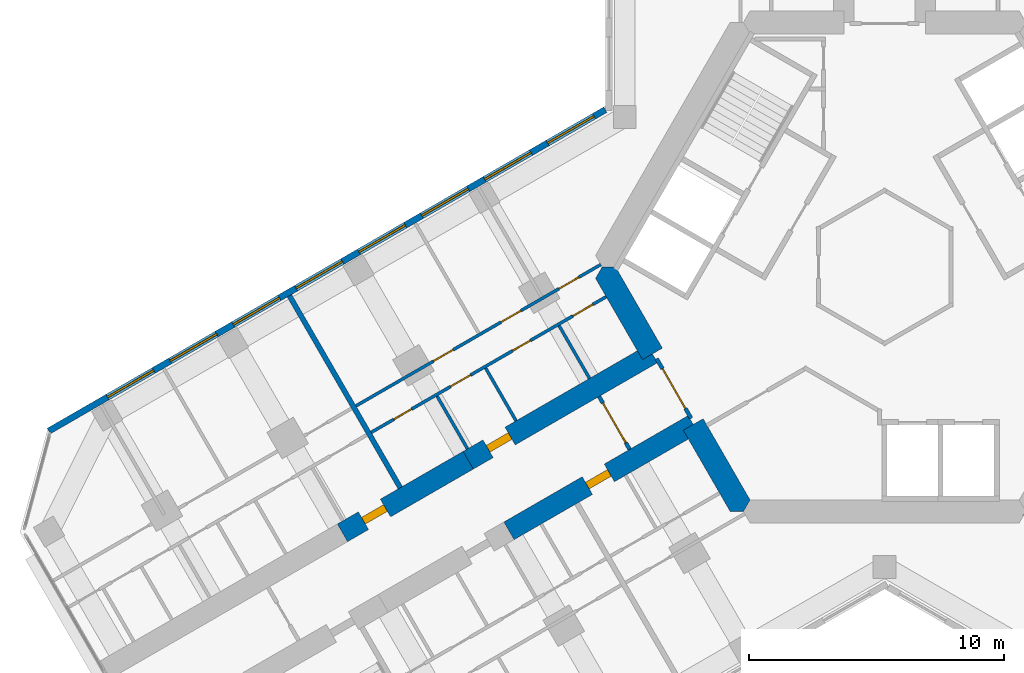
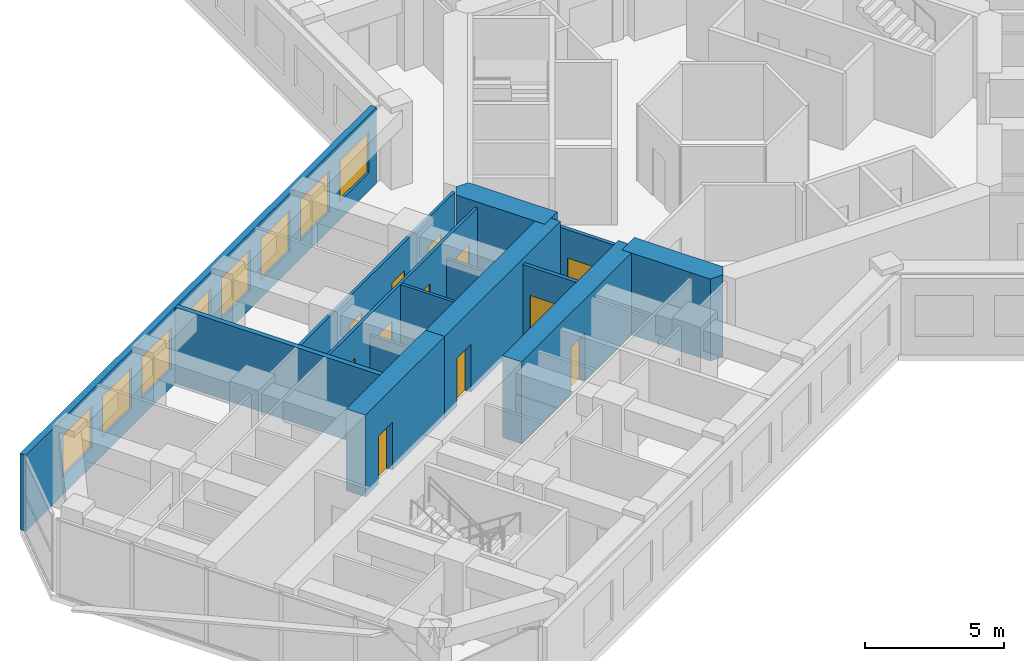
# One storey, part 12 of 20: 14 walls, 12 doors, 8 windows, 20 openings.
"""IFC4 building model written with IfcOpenShell, lengths in metres."""

from ifc_helpers import new_model, si_unit, direction, frame, frame_2d, origin, place, context, subcontext, project, spatial, polyline, rectangle, outline, extrude, material, layer, layer_set, type_object, element, fill, save


model = new_model("IFC4")

# Units and contexts
model_context = context("Model", 3, precision=1e-05, world=origin(), true_north=direction((0.0, 1.0)))
body_context = subcontext(model_context, "Body", "Model", "MODEL_VIEW")
ifc_project = project(units=[si_unit("LENGTHUNIT", "METRE"), si_unit("AREAUNIT", "SQUARE_METRE"), si_unit("VOLUMEUNIT", "CUBIC_METRE"), si_unit("PLANEANGLEUNIT", "RADIAN"), si_unit("MASSUNIT", "GRAM", prefix="KILO")], contexts=[model_context])

# Site, building, storey
site_placement = place(None, origin())
site = spatial("IfcSite", under=ifc_project, at=site_placement, CompositionType="ELEMENT")
building_placement = place(site_placement, origin())
building = spatial("IfcBuilding", under=site, at=building_placement, Name="Kosmar Iwan School Tower", CompositionType="ELEMENT")
storey_placement = place(building_placement, frame((0.0, 0.0, 176.0)))
storey = spatial("IfcBuildingStorey", under=building, at=storey_placement, Name="L44", CompositionType="ELEMENT", Elevation=176.0)

# Walls
ifc_material_1 = material(Name="Concrete C50/60", Category="concrete")
ifc_layer_1 = layer(ifc_material_1, 0.89990234375)
ifc_layer_set_1 = layer_set([ifc_layer_1], Name="Core wall 900")
wall_type_1 = type_object("IfcWallType", Name="Core wall 900", PredefinedType="SHEAR", material=ifc_layer_set_1)
wall_1_placement = place(storey_placement, origin())
element("IfcWall", 1, at=wall_1_placement, inside=storey, type_object=wall_type_1, Name="Core wall F210a", PredefinedType="SHEAR", context=body_context, shape_type="SweptSolid", body=[
    extrude(outline(polyline([(-9.503662109375, -3.639404296875), (-8.72412109375, -3.189453125), (-10.5654296875, 0.0), (-11.085205078125, 0.0), (-11.344970703125, -0.449951171875), (-9.503662109375, -3.639404296875)])), origin(), (0.0, 0.0, 1.0), 3.60009765625),
])
wall_2_placement = place(storey_placement, origin())
element("IfcWall", 2, at=wall_2_placement, inside=storey, type_object=wall_type_1, Name="Core wall F210b", PredefinedType="SHEAR", context=body_context, shape_type="SweptSolid", body=[
    extrude(outline(polyline([(-6.062255859375, -9.60009765625), (-5.54248046875, -9.60009765625), (-5.28271484375, -9.14990234375), (-7.1240234375, -5.960693359375), (-7.903564453125, -6.41064453125), (-6.062255859375, -9.60009765625)])), origin(), (0.0, 0.0, 1.0), 3.60009765625),
])

# Wall, opening, door
ifc_material_2 = material(Name="Concrete C50/60", Category="concrete")
ifc_layer_2 = layer(ifc_material_2, 0.800048828125)
ifc_layer_set_2 = layer_set([ifc_layer_2], Name="Corridor buttress wall 800")
wall_type_2 = type_object("IfcWallType", Name="Corridor buttress wall 800", PredefinedType="SHEAR", material=ifc_layer_set_2)
wall_3_placement = place(storey_placement, frame((-7.513916015625, -6.185546875, 0.0), z_axis=(0.0, 0.0, 1.0), x_axis=(-0.866019549707, -0.500010139422, 0.0)))
wall_3 = element("IfcWall", 3, at=wall_3_placement, inside=storey, type_object=wall_type_2, Name="Corridor wall BL", PredefinedType="SHEAR", context=body_context, shape_type="SweptSolid", body=[
    extrude(rectangle(XDim=8.349853515625, YDim=0.800048828125, at=frame_2d((4.1748046875, 0.0))), origin(), (0.0, 0.0, 1.0), 3.60009765625),
])
opening_1_placement = place(wall_3_placement, frame((3.800048828125, 0.0, 0.0)))
opening_1 = element("IfcOpeningElement", 4, at=opening_1_placement, cuts=wall_3, Name="Opening D1", PredefinedType="OPENING", context=body_context, shape_type="SweptSolid", body=[
    extrude(rectangle(XDim=1.0, YDim=2.10009765625, at=frame_2d((0.5, 1.050048828125))), frame((0.0, 0.412109375, 0.0), z_axis=(0.0, -1.0, 0.0), x_axis=(1.0, 0.0, 0.0)), (0.0, 0.0, 1.0), 0.823974609375),
])
ifc_material_3 = material(Name="Timber fire door in steel frame", Category="steel")
door_type_1 = type_object("IfcDoorType", Name="Flat entrance door 1000x2100", OperationType="SINGLE_SWING_LEFT", PredefinedType="DOOR", material=ifc_material_3)
door_1_placement = place(opening_1_placement, origin())
door_1 = element("IfcDoor", 5, at=door_1_placement, inside=storey, type_object=door_type_1, Name="Flat L44-BL1 entrance door", OperationType="SINGLE_SWING_LEFT", OverallHeight=2.10009765625, OverallWidth=1.0, PredefinedType="DOOR", context=body_context, shape_type="SweptSolid", body=[
    extrude(rectangle(XDim=1.0, YDim=2.10009765625, at=frame_2d((0.5, 1.050048828125))), frame((0.0, 0.14990234375, 0.0), z_axis=(0.0, -1.0, 0.0), x_axis=(1.0, 0.0, 0.0)), (0.0, 0.0, 1.0), 0.300048828125),
])
fill(opening_1, door_1)

wall_4_placement = place(storey_placement, frame((-9.11376953125, -3.414306640625, 0.0), z_axis=(0.0, 0.0, 1.0), x_axis=(-0.866026859388, -0.499997478812, 0.0)))
wall_4 = element("IfcWall", 6, at=wall_4_placement, inside=storey, type_object=wall_type_2, Name="Corridor wall BR", PredefinedType="SHEAR", context=body_context, shape_type="SweptSolid", body=[
    extrude(rectangle(XDim=8.35009765625, YDim=0.800048828125, at=frame_2d((4.175048828125, 0.0))), origin(), (0.0, 0.0, 1.0), 3.60009765625),
])
opening_2_placement = place(wall_4_placement, frame((6.449951171875, 0.0, 0.0)))
opening_2 = element("IfcOpeningElement", 7, at=opening_2_placement, cuts=wall_4, Name="Opening D1", PredefinedType="OPENING", context=body_context, shape_type="SweptSolid", body=[
    extrude(rectangle(XDim=1.0, YDim=2.10009765625, at=frame_2d((0.5, 1.050048828125))), frame((0.0, 0.412109375, 0.0), z_axis=(0.0, -1.0, 0.0), x_axis=(1.0, 0.0, 0.0)), (0.0, 0.0, 1.0), 0.823974609375),
])
door_2_placement = place(opening_2_placement, origin())
door_2 = element("IfcDoor", 8, at=door_2_placement, inside=storey, type_object=door_type_1, Name="Flat L44-BR1 entrance door", OperationType="SINGLE_SWING_RIGHT", OverallHeight=2.10009765625, OverallWidth=1.0, PredefinedType="DOOR", context=body_context, shape_type="SweptSolid", body=[
    extrude(rectangle(XDim=1.0, YDim=2.10009765625, at=frame_2d((0.5, 1.050048828125))), frame((0.0, 0.14990234375, 0.0), z_axis=(0.0, -1.0, 0.0), x_axis=(1.0, 0.0, 0.0)), (0.0, 0.0, 1.0), 0.300048828125),
])
fill(opening_2, door_2)

wall_5_placement = place(storey_placement, frame((-16.34521484375, -7.58935546875, 0.0), z_axis=(0.0, 0.0, 1.0), x_axis=(-0.866015111908, -0.50001782563, 0.0)))
wall_5 = element("IfcWall", 9, at=wall_5_placement, inside=storey, type_object=wall_type_2, Name="Corridor wall BR bay 2", PredefinedType="SHEAR", context=body_context, shape_type="SweptSolid", body=[
    extrude(rectangle(XDim=5.699951171875, YDim=0.800048828125, at=frame_2d((2.85009765625, 0.0))), origin(), (0.0, 0.0, 1.0), 3.60009765625),
])
opening_3_placement = place(wall_5_placement, frame((3.75, 0.0, 0.0)))
opening_3 = element("IfcOpeningElement", 10, at=opening_3_placement, cuts=wall_5, Name="Opening D1", PredefinedType="OPENING", context=body_context, shape_type="SweptSolid", body=[
    extrude(rectangle(XDim=1.0, YDim=2.10009765625, at=frame_2d((0.5, 1.050048828125))), frame((0.0, 0.412109375, 0.0), z_axis=(0.0, -1.0, 0.0), x_axis=(1.0, 0.0, 0.0)), (0.0, 0.0, 1.0), 0.823974609375),
])
door_3_placement = place(opening_3_placement, origin())
door_3 = element("IfcDoor", 11, at=door_3_placement, inside=storey, type_object=door_type_1, Name="Flat L44-BR2 entrance door", OperationType="SINGLE_SWING_RIGHT", OverallHeight=2.10009765625, OverallWidth=1.0, PredefinedType="DOOR", context=body_context, shape_type="SweptSolid", body=[
    extrude(rectangle(XDim=1.0, YDim=2.10009765625, at=frame_2d((0.5, 1.050048828125))), frame((0.0, 0.14990234375, 0.0), z_axis=(0.0, -1.0, 0.0), x_axis=(1.0, 0.0, 0.0)), (0.0, 0.0, 1.0), 0.300048828125),
])
fill(opening_3, door_3)

ifc_material_4 = material(Name="Gypsum board on steel studs, fire-rated", Category="steel")
ifc_layer_3 = layer(ifc_material_4, 0.14990234375)
ifc_layer_set_3 = layer_set([ifc_layer_3], Name="Corridor end wall 150")
wall_type_3 = type_object("IfcWallType", Name="Corridor end wall 150", PredefinedType="PARTITIONING", material=ifc_layer_set_3)
wall_6_placement = place(storey_placement, frame((-11.208740234375, -5.085693359375, 0.0), z_axis=(0.0, 0.0, 1.0), x_axis=(0.499957262057, -0.866050077142, 0.0)))
wall_6 = element("IfcWall", 12, at=wall_6_placement, inside=storey, type_object=wall_type_3, Name="Partition L44-B-HW", PredefinedType="PARTITIONING", context=body_context, shape_type="SweptSolid", body=[
    extrude(rectangle(XDim=2.400146484375, YDim=0.14990234375, at=frame_2d((1.2001953125, 0.0))), origin(), (0.0, 0.0, 1.0), 3.35009765625),
])
opening_4_placement = place(wall_6_placement, frame((0.300048828125, 0.0, 0.0)))
opening_4 = element("IfcOpeningElement", 13, at=opening_4_placement, cuts=wall_6, Name="Opening D9", PredefinedType="OPENING", context=body_context, shape_type="SweptSolid", body=[
    extrude(rectangle(XDim=1.800048828125, YDim=2.10009765625, at=frame_2d((0.89990234375, 1.050048828125))), frame((0.0, 0.0869140625, 0.0), z_axis=(0.0, -1.0, 0.0), x_axis=(1.0, 0.0, 0.0)), (0.0, 0.0, 1.0), 0.173828125),
])
ifc_material_5 = material(Name="Steel framed glazed smoke door", Category="steel")
door_type_2 = type_object("IfcDoorType", Name="Corridor smoke door pair 1800x2100", OperationType="DOUBLE_DOOR_DOUBLE_SWING", PredefinedType="DOOR", material=ifc_material_5)
door_4_placement = place(opening_4_placement, origin())
door_4 = element("IfcDoor", 14, at=door_4_placement, inside=storey, type_object=door_type_2, Name="Hashti vestibule smoke doors L44-B", OperationType="DOUBLE_DOOR_DOUBLE_SWING", OverallHeight=2.10009765625, OverallWidth=1.800048828125, PredefinedType="DOOR", context=body_context, shape_type="SweptSolid", body=[
    extrude(rectangle(XDim=1.800048828125, YDim=2.10009765625, at=frame_2d((0.89990234375, 1.050048828125))), frame((0.0, 0.02490234375, 0.0), z_axis=(0.0, -1.0, 0.0), x_axis=(1.0, 0.0, 0.0)), (0.0, 0.0, 1.0), 0.050048828125),
])
fill(opening_4, door_4)

ifc_material_6 = material(Name="Steel framed glazed screen", Category="steel")
ifc_layer_4 = layer(ifc_material_6, 0.14990234375)
ifc_layer_set_4 = layer_set([ifc_layer_4], Name="Corridor screen wall 150")
wall_type_4 = type_object("IfcWallType", Name="Corridor screen wall 150", PredefinedType="PARTITIONING", material=ifc_layer_set_4)
wall_7_placement = place(storey_placement, frame((-8.945556640625, -3.60595703125, 0.0), z_axis=(0.0, 0.0, 1.0), x_axis=(0.500048589285, -0.86599734893, 0.0)))
wall_7 = element("IfcWall", 15, at=wall_7_placement, inside=storey, type_object=wall_type_4, Name="Corridor screen B L44", PredefinedType="PARTITIONING", context=body_context, shape_type="SweptSolid", body=[
    extrude(rectangle(XDim=2.699951171875, YDim=0.14990234375, at=frame_2d((1.35009765625, 0.0))), origin(), (0.0, 0.0, 1.0), 3.35009765625),
])
opening_5_placement = place(wall_7_placement, frame((0.449951171875, 0.0, 0.0)))
opening_5 = element("IfcOpeningElement", 16, at=opening_5_placement, cuts=wall_7, Name="Opening D9", PredefinedType="OPENING", context=body_context, shape_type="SweptSolid", body=[
    extrude(rectangle(XDim=1.800048828125, YDim=2.10009765625, at=frame_2d((0.89990234375, 1.050048828125))), frame((0.0, 0.0869140625, 0.0), z_axis=(0.0, -1.0, 0.0), x_axis=(1.0, 0.0, 0.0)), (0.0, 0.0, 1.0), 0.173828125),
])
door_5_placement = place(opening_5_placement, origin())
door_5 = element("IfcDoor", 17, at=door_5_placement, inside=storey, type_object=door_type_2, Name="Corridor doors B L44", OperationType="DOUBLE_DOOR_DOUBLE_SWING", OverallHeight=2.10009765625, OverallWidth=1.800048828125, PredefinedType="DOOR", context=body_context, shape_type="SweptSolid", body=[
    extrude(rectangle(XDim=1.800048828125, YDim=2.10009765625, at=frame_2d((0.89990234375, 1.050048828125))), frame((0.0, 0.02490234375, 0.0), z_axis=(0.0, -1.0, 0.0), x_axis=(1.0, 0.0, 0.0)), (0.0, 0.0, 1.0), 0.050048828125),
])
fill(opening_5, door_5)

# Wall, openings, doors
ifc_material_7 = material(Name="Gypsum board on steel studs", Category="steel")
ifc_layer_5 = layer(ifc_material_7, 0.1201171875)
ifc_layer_set_5 = layer_set([ifc_layer_5], Name="Dwelling partition 120")
wall_type_5 = type_object("IfcWallType", Name="Dwelling partition 120", PredefinedType="PARTITIONING", material=ifc_layer_set_5)
wall_8_placement = place(storey_placement, frame((-10.928466796875, -1.171142578125, 0.0), z_axis=(0.0, 0.0, 1.0), x_axis=(-0.866032509089, -0.49998769305, 0.0)))
wall_8 = element("IfcWall", 18, at=wall_8_placement, inside=storey, type_object=wall_type_5, Name="Partition L44-BR1-W1", PredefinedType="PARTITIONING", context=body_context, shape_type="SweptSolid", body=[
    extrude(rectangle(XDim=10.650146484375, YDim=0.1201171875, at=frame_2d((5.3251953125, 0.0))), origin(), (0.0, 0.0, 1.0), 3.35009765625),
])
opening_6_placement = place(wall_8_placement, frame((0.610107421875, 0.0, 0.0)))
opening_6 = element("IfcOpeningElement", 19, at=opening_6_placement, cuts=wall_8, Name="Opening D2", PredefinedType="OPENING", context=body_context, shape_type="SweptSolid", body=[
    extrude(rectangle(XDim=0.89990234375, YDim=2.10009765625, at=frame_2d((0.449951171875, 1.050048828125))), frame((0.0, 0.072021484375, 0.0), z_axis=(0.0, -1.0, 0.0), x_axis=(1.0, 0.0, 0.0)), (0.0, 0.0, 1.0), 0.14404296875),
])
opening_7_placement = place(wall_8_placement, frame((3.43505859375, 0.0, 0.0)))
opening_7 = element("IfcOpeningElement", 20, at=opening_7_placement, cuts=wall_8, Name="Opening D3", PredefinedType="OPENING", context=body_context, shape_type="SweptSolid", body=[
    extrude(rectangle(XDim=0.800048828125, YDim=2.10009765625, at=frame_2d((0.39990234375, 1.050048828125))), frame((0.0, 0.072021484375, 0.0), z_axis=(0.0, -1.0, 0.0), x_axis=(1.0, 0.0, 0.0)), (0.0, 0.0, 1.0), 0.14404296875),
])
opening_8_placement = place(wall_8_placement, frame((6.14990234375, 0.0, 0.0)))
opening_8 = element("IfcOpeningElement", 21, at=opening_8_placement, cuts=wall_8, Name="Opening D2", PredefinedType="OPENING", context=body_context, shape_type="SweptSolid", body=[
    extrude(rectangle(XDim=0.89990234375, YDim=2.10009765625, at=frame_2d((0.449951171875, 1.050048828125))), frame((0.0, 0.072021484375, 0.0), z_axis=(0.0, -1.0, 0.0), x_axis=(1.0, 0.0, 0.0)), (0.0, 0.0, 1.0), 0.14404296875),
])
opening_9_placement = place(wall_8_placement, frame((8.824951171875, 0.0, 0.0)))
opening_9 = element("IfcOpeningElement", 22, at=opening_9_placement, cuts=wall_8, Name="Opening D3", PredefinedType="OPENING", context=body_context, shape_type="SweptSolid", body=[
    extrude(rectangle(XDim=0.800048828125, YDim=2.10009765625, at=frame_2d((0.39990234375, 1.050048828125))), frame((0.0, 0.072021484375, 0.0), z_axis=(0.0, -1.0, 0.0), x_axis=(1.0, 0.0, 0.0)), (0.0, 0.0, 1.0), 0.14404296875),
])
ifc_material_8 = material(Name="Timber door in timber frame", Category="wood")
door_type_3 = type_object("IfcDoorType", Name="Internal door 900x2100", OperationType="SINGLE_SWING_LEFT", PredefinedType="DOOR", material=ifc_material_8)
door_6_placement = place(opening_6_placement, origin())
door_6 = element("IfcDoor", 23, at=door_6_placement, inside=storey, type_object=door_type_3, Name="Pantry door L44-BR1-S1", OperationType="SINGLE_SWING_RIGHT", OverallHeight=2.10009765625, OverallWidth=0.89990234375, PredefinedType="DOOR", context=body_context, shape_type="SweptSolid", body=[
    extrude(rectangle(XDim=0.89990234375, YDim=2.10009765625, at=frame_2d((0.449951171875, 1.050048828125))), frame((0.0, 0.02490234375, 0.0), z_axis=(0.0, -1.0, 0.0), x_axis=(1.0, 0.0, 0.0)), (0.0, 0.0, 1.0), 0.050048828125),
])
fill(opening_6, door_6)
door_7_placement = place(opening_8_placement, origin())
door_7 = element("IfcDoor", 24, at=door_7_placement, inside=storey, type_object=door_type_3, Name="Entrance hall door L44-BR1-S3", OperationType="SINGLE_SWING_RIGHT", OverallHeight=2.10009765625, OverallWidth=0.89990234375, PredefinedType="DOOR", context=body_context, shape_type="SweptSolid", body=[
    extrude(rectangle(XDim=0.89990234375, YDim=2.10009765625, at=frame_2d((0.449951171875, 1.050048828125))), frame((0.0, 0.02490234375, 0.0), z_axis=(0.0, -1.0, 0.0), x_axis=(1.0, 0.0, 0.0)), (0.0, 0.0, 1.0), 0.050048828125),
])
fill(opening_8, door_7)
ifc_material_9 = material(Name="Timber door in timber frame", Category="wood")
door_type_4 = type_object("IfcDoorType", Name="Sanitary room door 800x2100", OperationType="SINGLE_SWING_LEFT", PredefinedType="DOOR", material=ifc_material_9)
door_8_placement = place(opening_7_placement, origin())
door_8 = element("IfcDoor", 25, at=door_8_placement, inside=storey, type_object=door_type_4, Name="Bathroom door L44-BR1-S2", OperationType="SINGLE_SWING_LEFT", OverallHeight=2.10009765625, OverallWidth=0.800048828125, PredefinedType="DOOR", context=body_context, shape_type="SweptSolid", body=[
    extrude(rectangle(XDim=0.800048828125, YDim=2.10009765625, at=frame_2d((0.39990234375, 1.050048828125))), frame((0.0, 0.02490234375, 0.0), z_axis=(0.0, -1.0, 0.0), x_axis=(1.0, 0.0, 0.0)), (0.0, 0.0, 1.0), 0.050048828125),
])
fill(opening_7, door_8)
door_9_placement = place(opening_9_placement, origin())
door_9 = element("IfcDoor", 26, at=door_9_placement, inside=storey, type_object=door_type_4, Name="WC door L44-BR1-S4", OperationType="SINGLE_SWING_RIGHT", OverallHeight=2.10009765625, OverallWidth=0.800048828125, PredefinedType="DOOR", context=body_context, shape_type="SweptSolid", body=[
    extrude(rectangle(XDim=0.800048828125, YDim=2.10009765625, at=frame_2d((0.39990234375, 1.050048828125))), frame((0.0, 0.02490234375, 0.0), z_axis=(0.0, -1.0, 0.0), x_axis=(1.0, 0.0, 0.0)), (0.0, 0.0, 1.0), 0.050048828125),
])
fill(opening_9, door_9)

wall_9_placement = place(storey_placement, frame((-11.138916015625, 0.093017578125, 0.0), z_axis=(0.0, 0.0, 1.0), x_axis=(-0.866021494144, -0.500006771635, 0.0)))
wall_9 = element("IfcWall", 27, at=wall_9_placement, inside=storey, type_object=wall_type_5, Name="Partition L44-BR1-W2", PredefinedType="PARTITIONING", context=body_context, shape_type="SweptSolid", body=[
    extrude(rectangle(XDim=11.099853515625, YDim=0.1201171875, at=frame_2d((5.5498046875, 0.0))), origin(), (0.0, 0.0, 1.0), 3.35009765625),
])
opening_10_placement = place(wall_9_placement, frame((1.0, 0.0, 0.0)))
opening_10 = element("IfcOpeningElement", 28, at=opening_10_placement, cuts=wall_9, Name="Opening D2", PredefinedType="OPENING", context=body_context, shape_type="SweptSolid", body=[
    extrude(rectangle(XDim=0.89990234375, YDim=2.10009765625, at=frame_2d((0.449951171875, 1.050048828125))), frame((0.0, 0.072021484375, 0.0), z_axis=(0.0, -1.0, 0.0), x_axis=(1.0, 0.0, 0.0)), (0.0, 0.0, 1.0), 0.14404296875),
])
opening_11_placement = place(wall_9_placement, frame((3.625, 0.0, 0.0)))
opening_11 = element("IfcOpeningElement", 29, at=opening_11_placement, cuts=wall_9, Name="Opening D2", PredefinedType="OPENING", context=body_context, shape_type="SweptSolid", body=[
    extrude(rectangle(XDim=0.89990234375, YDim=2.10009765625, at=frame_2d((0.449951171875, 1.050048828125))), frame((0.0, 0.072021484375, 0.0), z_axis=(0.0, -1.0, 0.0), x_axis=(1.0, 0.0, 0.0)), (0.0, 0.0, 1.0), 0.14404296875),
])
opening_12_placement = place(wall_9_placement, frame((6.699951171875, 0.0, 0.0)))
opening_12 = element("IfcOpeningElement", 30, at=opening_12_placement, cuts=wall_9, Name="Opening D2", PredefinedType="OPENING", context=body_context, shape_type="SweptSolid", body=[
    extrude(rectangle(XDim=0.89990234375, YDim=2.10009765625, at=frame_2d((0.449951171875, 1.050048828125))), frame((0.0, 0.072021484375, 0.0), z_axis=(0.0, -1.0, 0.0), x_axis=(1.0, 0.0, 0.0)), (0.0, 0.0, 1.0), 0.14404296875),
])
door_10_placement = place(opening_10_placement, origin())
door_10 = element("IfcDoor", 31, at=door_10_placement, inside=storey, type_object=door_type_3, Name="Bedroom 1 door L44-BR1-F1", OperationType="SINGLE_SWING_LEFT", OverallHeight=2.10009765625, OverallWidth=0.89990234375, PredefinedType="DOOR", context=body_context, shape_type="SweptSolid", body=[
    extrude(rectangle(XDim=0.89990234375, YDim=2.10009765625, at=frame_2d((0.449951171875, 1.050048828125))), frame((0.0, 0.02490234375, 0.0), z_axis=(0.0, -1.0, 0.0), x_axis=(1.0, 0.0, 0.0)), (0.0, 0.0, 1.0), 0.050048828125),
])
fill(opening_10, door_10)
door_11_placement = place(opening_11_placement, origin())
door_11 = element("IfcDoor", 32, at=door_11_placement, inside=storey, type_object=door_type_3, Name="Study door L44-BR1-F2", OperationType="SINGLE_SWING_LEFT", OverallHeight=2.10009765625, OverallWidth=0.89990234375, PredefinedType="DOOR", context=body_context, shape_type="SweptSolid", body=[
    extrude(rectangle(XDim=0.89990234375, YDim=2.10009765625, at=frame_2d((0.449951171875, 1.050048828125))), frame((0.0, 0.02490234375, 0.0), z_axis=(0.0, -1.0, 0.0), x_axis=(1.0, 0.0, 0.0)), (0.0, 0.0, 1.0), 0.050048828125),
])
fill(opening_11, door_11)
door_12_placement = place(opening_12_placement, origin())
door_12 = element("IfcDoor", 33, at=door_12_placement, inside=storey, type_object=door_type_3, Name="Family room and kitchen door L44-BR1-F3", OperationType="SINGLE_SWING_RIGHT", OverallHeight=2.10009765625, OverallWidth=0.89990234375, PredefinedType="DOOR", context=body_context, shape_type="SweptSolid", body=[
    extrude(rectangle(XDim=0.89990234375, YDim=2.10009765625, at=frame_2d((0.449951171875, 1.050048828125))), frame((0.0, 0.02490234375, 0.0), z_axis=(0.0, -1.0, 0.0), x_axis=(1.0, 0.0, 0.0)), (0.0, 0.0, 1.0), 0.050048828125),
])
fill(opening_12, door_12)

# Walls
wall_10_placement = place(storey_placement, frame((-11.582763671875, -4.3779296875, 0.0), z_axis=(0.0, 0.0, 1.0), x_axis=(-0.500017192868, 0.86601547725, 0.0)))
element("IfcWall", 34, at=wall_10_placement, inside=storey, type_object=wall_type_5, Name="Partition L44-BR1-Y1", PredefinedType="PARTITIONING", context=body_context, shape_type="SweptSolid", body=[
    extrude(rectangle(XDim=2.39013671875, YDim=0.1201171875, at=frame_2d((1.195068359375, 0.0))), origin(), (0.0, 0.0, 1.0), 2.449951171875),
])
wall_11_placement = place(storey_placement, frame((-14.466796875, -6.04296875, 0.0), z_axis=(0.0, 0.0, 1.0), x_axis=(-0.499940577336, 0.866059708757, 0.0)))
element("IfcWall", 35, at=wall_11_placement, inside=storey, type_object=wall_type_5, Name="Partition L44-BR1-Y2", PredefinedType="PARTITIONING", context=body_context, shape_type="SweptSolid", body=[
    extrude(rectangle(XDim=2.389892578125, YDim=0.1201171875, at=frame_2d((1.19482421875, 0.0))), origin(), (0.0, 0.0, 1.0), 3.35009765625),
])
wall_12_placement = place(storey_placement, frame((-16.371826171875, -7.14306640625, 0.0), z_axis=(0.0, 0.0, 1.0), x_axis=(-0.500017192868, 0.86601547725, 0.0)))
element("IfcWall", 36, at=wall_12_placement, inside=storey, type_object=wall_type_5, Name="Partition L44-BR1-Y3", PredefinedType="PARTITIONING", context=body_context, shape_type="SweptSolid", body=[
    extrude(rectangle(XDim=2.39013671875, YDim=0.1201171875, at=frame_2d((1.195068359375, 0.0))), origin(), (0.0, 0.0, 1.0), 2.449951171875),
])

# Wall, openings, windows
ifc_material_10 = material(Name="Black aluminium rainscreen on insulated framing", Category="aluminium")
ifc_layer_6 = layer(ifc_material_10, 0.25)
ifc_layer_set_6 = layer_set([ifc_layer_6], Name="External wall rainscreen 250")
wall_type_6 = type_object("IfcWallType", Name="External wall rainscreen 250", PredefinedType="SOLIDWALL", material=ifc_layer_set_6)
wall_13_placement = place(storey_placement, frame((-10.962890625, 6.170166015625, 0.0), z_axis=(0.0, 0.0, 1.0), x_axis=(-0.86602796634, -0.499995561497, 0.0)))
wall_13 = element("IfcWall", 37, at=wall_13_placement, inside=storey, type_object=wall_type_6, Name="External wall BR L44", PredefinedType="SOLIDWALL", context=body_context, shape_type="SweptSolid", body=[
    extrude(rectangle(XDim=25.226318359375, YDim=0.25, at=frame_2d((12.61328125, 0.0))), origin(), (0.0, 0.0, 1.0), 3.35009765625),
])
opening_13_placement = place(wall_13_placement, frame((0.51611328125, 0.0, 0.800048828125)))
opening_13 = element("IfcOpeningElement", 38, at=opening_13_placement, cuts=wall_13, Name="Opening W4", PredefinedType="OPENING", context=body_context, shape_type="SweptSolid", body=[
    extrude(rectangle(XDim=2.10009765625, YDim=1.800048828125, at=frame_2d((1.050048828125, 0.89990234375))), frame((0.0, 0.136962890625, 0.0), z_axis=(0.0, -1.0, 0.0), x_axis=(1.0, 0.0, 0.0)), (0.0, 0.0, 1.0), 0.27392578125),
])
opening_14_placement = place(wall_13_placement, frame((3.365966796875, 0.0, 0.800048828125)))
opening_14 = element("IfcOpeningElement", 39, at=opening_14_placement, cuts=wall_13, Name="Opening W4", PredefinedType="OPENING", context=body_context, shape_type="SweptSolid", body=[
    extrude(rectangle(XDim=2.10009765625, YDim=1.800048828125, at=frame_2d((1.050048828125, 0.89990234375))), frame((0.0, 0.136962890625, 0.0), z_axis=(0.0, -1.0, 0.0), x_axis=(1.0, 0.0, 0.0)), (0.0, 0.0, 1.0), 0.27392578125),
])
opening_15_placement = place(wall_13_placement, frame((6.216064453125, 0.0, 0.800048828125)))
opening_15 = element("IfcOpeningElement", 40, at=opening_15_placement, cuts=wall_13, Name="Opening W4", PredefinedType="OPENING", context=body_context, shape_type="SweptSolid", body=[
    extrude(rectangle(XDim=2.10009765625, YDim=1.800048828125, at=frame_2d((1.050048828125, 0.89990234375))), frame((0.0, 0.136962890625, 0.0), z_axis=(0.0, -1.0, 0.0), x_axis=(1.0, 0.0, 0.0)), (0.0, 0.0, 1.0), 0.27392578125),
])
opening_16_placement = place(wall_13_placement, frame((9.06591796875, 0.0, 0.800048828125)))
opening_16 = element("IfcOpeningElement", 41, at=opening_16_placement, cuts=wall_13, Name="Opening W4", PredefinedType="OPENING", context=body_context, shape_type="SweptSolid", body=[
    extrude(rectangle(XDim=2.10009765625, YDim=1.800048828125, at=frame_2d((1.050048828125, 0.89990234375))), frame((0.0, 0.136962890625, 0.0), z_axis=(0.0, -1.0, 0.0), x_axis=(1.0, 0.0, 0.0)), (0.0, 0.0, 1.0), 0.27392578125),
])
opening_17_placement = place(wall_13_placement, frame((11.916015625, 0.0, 0.800048828125)))
opening_17 = element("IfcOpeningElement", 42, at=opening_17_placement, cuts=wall_13, Name="Opening W4", PredefinedType="OPENING", context=body_context, shape_type="SweptSolid", body=[
    extrude(rectangle(XDim=2.10009765625, YDim=1.800048828125, at=frame_2d((1.050048828125, 0.89990234375))), frame((0.0, 0.136962890625, 0.0), z_axis=(0.0, -1.0, 0.0), x_axis=(1.0, 0.0, 0.0)), (0.0, 0.0, 1.0), 0.27392578125),
])
opening_18_placement = place(wall_13_placement, frame((14.76611328125, 0.0, 0.800048828125)))
opening_18 = element("IfcOpeningElement", 43, at=opening_18_placement, cuts=wall_13, Name="Opening W4", PredefinedType="OPENING", context=body_context, shape_type="SweptSolid", body=[
    extrude(rectangle(XDim=2.10009765625, YDim=1.800048828125, at=frame_2d((1.050048828125, 0.89990234375))), frame((0.0, 0.136962890625, 0.0), z_axis=(0.0, -1.0, 0.0), x_axis=(1.0, 0.0, 0.0)), (0.0, 0.0, 1.0), 0.27392578125),
])
opening_19_placement = place(wall_13_placement, frame((17.615966796875, 0.0, 0.800048828125)))
opening_19 = element("IfcOpeningElement", 44, at=opening_19_placement, cuts=wall_13, Name="Opening W4", PredefinedType="OPENING", context=body_context, shape_type="SweptSolid", body=[
    extrude(rectangle(XDim=2.10009765625, YDim=1.800048828125, at=frame_2d((1.050048828125, 0.89990234375))), frame((0.0, 0.136962890625, 0.0), z_axis=(0.0, -1.0, 0.0), x_axis=(1.0, 0.0, 0.0)), (0.0, 0.0, 1.0), 0.27392578125),
])
opening_20_placement = place(wall_13_placement, frame((20.466064453125, 0.0, 0.800048828125)))
opening_20 = element("IfcOpeningElement", 45, at=opening_20_placement, cuts=wall_13, Name="Opening W4", PredefinedType="OPENING", context=body_context, shape_type="SweptSolid", body=[
    extrude(rectangle(XDim=2.10009765625, YDim=1.800048828125, at=frame_2d((1.050048828125, 0.89990234375))), frame((0.0, 0.136962890625, 0.0), z_axis=(0.0, -1.0, 0.0), x_axis=(1.0, 0.0, 0.0)), (0.0, 0.0, 1.0), 0.27392578125),
])
ifc_material_11 = material(Name="Black aluminium frame with dark triple glazing", Category="aluminium")
window_type = type_object("IfcWindowType", Name="Window 2100x1800", PartitioningType="SINGLE_PANEL", PredefinedType="WINDOW", material=ifc_material_11)
window_1_placement = place(opening_13_placement, origin())
window_1 = element("IfcWindow", 46, at=window_1_placement, inside=storey, type_object=window_type, Name="Window BR L44 -1", OverallHeight=1.800048828125, OverallWidth=2.10009765625, PartitioningType="SINGLE_PANEL", PredefinedType="WINDOW", context=body_context, shape_type="SweptSolid", body=[
    extrude(rectangle(XDim=2.10009765625, YDim=1.800048828125, at=frame_2d((1.050048828125, 0.89990234375))), frame((0.0, 0.030029296875, 0.0), z_axis=(0.0, -1.0, 0.0), x_axis=(1.0, 0.0, 0.0)), (0.0, 0.0, 1.0), 0.06005859375),
])
fill(opening_13, window_1)
window_2_placement = place(opening_14_placement, origin())
window_2 = element("IfcWindow", 47, at=window_2_placement, inside=storey, type_object=window_type, Name="Window BR L44 0", OverallHeight=1.800048828125, OverallWidth=2.10009765625, PartitioningType="SINGLE_PANEL", PredefinedType="WINDOW", context=body_context, shape_type="SweptSolid", body=[
    extrude(rectangle(XDim=2.10009765625, YDim=1.800048828125, at=frame_2d((1.050048828125, 0.89990234375))), frame((0.0, 0.030029296875, 0.0), z_axis=(0.0, -1.0, 0.0), x_axis=(1.0, 0.0, 0.0)), (0.0, 0.0, 1.0), 0.06005859375),
])
fill(opening_14, window_2)
window_3_placement = place(opening_15_placement, origin())
window_3 = element("IfcWindow", 48, at=window_3_placement, inside=storey, type_object=window_type, Name="Window BR L44 1", OverallHeight=1.800048828125, OverallWidth=2.10009765625, PartitioningType="SINGLE_PANEL", PredefinedType="WINDOW", context=body_context, shape_type="SweptSolid", body=[
    extrude(rectangle(XDim=2.10009765625, YDim=1.800048828125, at=frame_2d((1.050048828125, 0.89990234375))), frame((0.0, 0.030029296875, 0.0), z_axis=(0.0, -1.0, 0.0), x_axis=(1.0, 0.0, 0.0)), (0.0, 0.0, 1.0), 0.06005859375),
])
fill(opening_15, window_3)
window_4_placement = place(opening_16_placement, origin())
window_4 = element("IfcWindow", 49, at=window_4_placement, inside=storey, type_object=window_type, Name="Window BR L44 2", OverallHeight=1.800048828125, OverallWidth=2.10009765625, PartitioningType="SINGLE_PANEL", PredefinedType="WINDOW", context=body_context, shape_type="SweptSolid", body=[
    extrude(rectangle(XDim=2.10009765625, YDim=1.800048828125, at=frame_2d((1.050048828125, 0.89990234375))), frame((0.0, 0.030029296875, 0.0), z_axis=(0.0, -1.0, 0.0), x_axis=(1.0, 0.0, 0.0)), (0.0, 0.0, 1.0), 0.06005859375),
])
fill(opening_16, window_4)
window_5_placement = place(opening_17_placement, origin())
window_5 = element("IfcWindow", 50, at=window_5_placement, inside=storey, type_object=window_type, Name="Window BR L44 3", OverallHeight=1.800048828125, OverallWidth=2.10009765625, PartitioningType="SINGLE_PANEL", PredefinedType="WINDOW", context=body_context, shape_type="SweptSolid", body=[
    extrude(rectangle(XDim=2.10009765625, YDim=1.800048828125, at=frame_2d((1.050048828125, 0.89990234375))), frame((0.0, 0.030029296875, 0.0), z_axis=(0.0, -1.0, 0.0), x_axis=(1.0, 0.0, 0.0)), (0.0, 0.0, 1.0), 0.06005859375),
])
fill(opening_17, window_5)
window_6_placement = place(opening_18_placement, origin())
window_6 = element("IfcWindow", 51, at=window_6_placement, inside=storey, type_object=window_type, Name="Window BR L44 4", OverallHeight=1.800048828125, OverallWidth=2.10009765625, PartitioningType="SINGLE_PANEL", PredefinedType="WINDOW", context=body_context, shape_type="SweptSolid", body=[
    extrude(rectangle(XDim=2.10009765625, YDim=1.800048828125, at=frame_2d((1.050048828125, 0.89990234375))), frame((0.0, 0.030029296875, 0.0), z_axis=(0.0, -1.0, 0.0), x_axis=(1.0, 0.0, 0.0)), (0.0, 0.0, 1.0), 0.06005859375),
])
fill(opening_18, window_6)
window_7_placement = place(opening_19_placement, origin())
window_7 = element("IfcWindow", 52, at=window_7_placement, inside=storey, type_object=window_type, Name="Window BR L44 5", OverallHeight=1.800048828125, OverallWidth=2.10009765625, PartitioningType="SINGLE_PANEL", PredefinedType="WINDOW", context=body_context, shape_type="SweptSolid", body=[
    extrude(rectangle(XDim=2.10009765625, YDim=1.800048828125, at=frame_2d((1.050048828125, 0.89990234375))), frame((0.0, 0.030029296875, 0.0), z_axis=(0.0, -1.0, 0.0), x_axis=(1.0, 0.0, 0.0)), (0.0, 0.0, 1.0), 0.06005859375),
])
fill(opening_19, window_7)
window_8_placement = place(opening_20_placement, origin())
window_8 = element("IfcWindow", 53, at=window_8_placement, inside=storey, type_object=window_type, Name="Window BR L44 6", OverallHeight=1.800048828125, OverallWidth=2.10009765625, PartitioningType="SINGLE_PANEL", PredefinedType="WINDOW", context=body_context, shape_type="SweptSolid", body=[
    extrude(rectangle(XDim=2.10009765625, YDim=1.800048828125, at=frame_2d((1.050048828125, 0.89990234375))), frame((0.0, 0.030029296875, 0.0), z_axis=(0.0, -1.0, 0.0), x_axis=(1.0, 0.0, 0.0)), (0.0, 0.0, 1.0), 0.06005859375),
])
fill(opening_20, window_8)

# Wall
ifc_material_12 = material(Name="Concrete block masonry", Category="masonry")
ifc_layer_7 = layer(ifc_material_12, 0.199951171875)
ifc_layer_set_7 = layer_set([ifc_layer_7], Name="Party wall 200")
wall_type_7 = type_object("IfcWallType", Name="Party wall 200", PredefinedType="PARTITIONING", material=ifc_layer_set_7)
wall_14_placement = place(storey_placement, frame((-19.013427734375, -8.66796875, 0.0), z_axis=(0.0, 0.0, 1.0), x_axis=(-0.499987231761, 0.866032775405, 0.0)))
element("IfcWall", 54, at=wall_14_placement, inside=storey, type_object=wall_type_7, Name="Partition L44-BR2-PW", PredefinedType="PARTITIONING", context=body_context, shape_type="SweptSolid", body=[
    extrude(rectangle(XDim=8.699951171875, YDim=0.199951171875, at=frame_2d((4.35009765625, 0.0))), origin(), (0.0, 0.0, 1.0), 3.35009765625),
])

save(model, "model.ifc")
